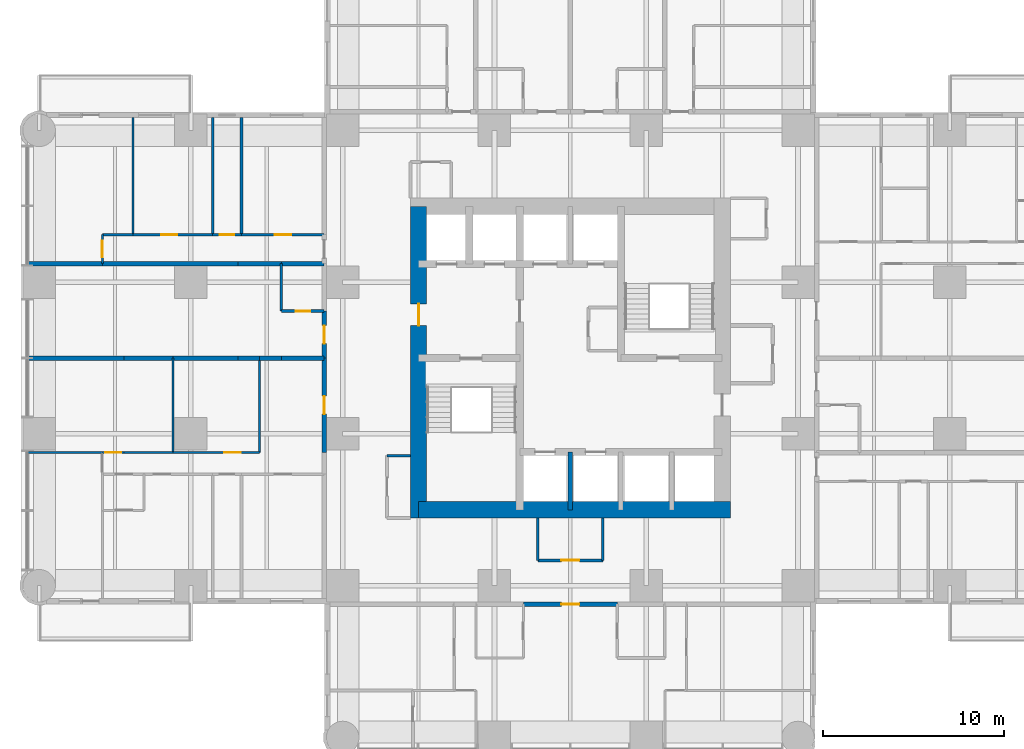
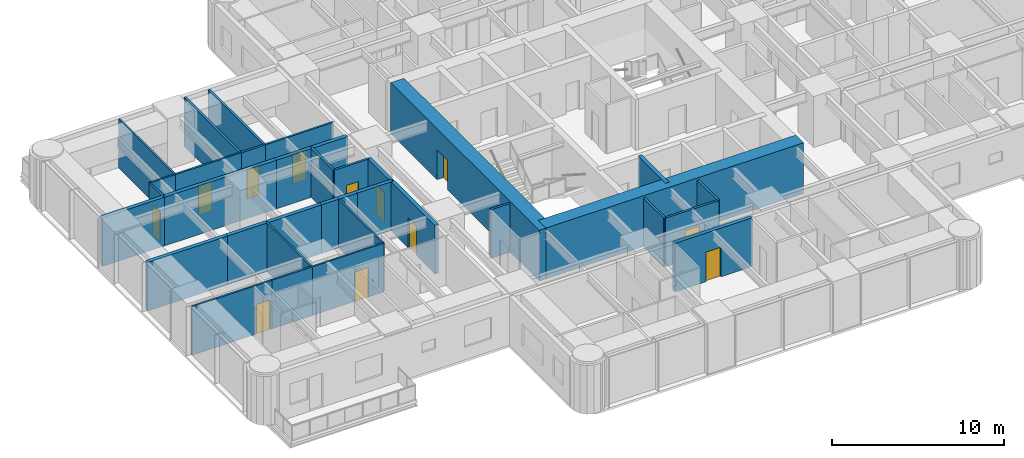
# One storey, part 7 of 14: 36 walls, 12 doors, 12 openings.
"""IFC4 building model written with IfcOpenShell, lengths in metres."""

from ifc_helpers import new_model, si_unit, direction, frame, frame_2d, origin, place, context, subcontext, project, spatial, rectangle, extrude, material, layer, layer_set, type_object, element, fill, save


model = new_model("IFC4")

# Units and contexts
model_context = context("Model", 3, precision=1e-05, world=origin(), true_north=direction((0.0, 1.0)))
body_context = subcontext(model_context, "Body", "Model", "MODEL_VIEW")
ifc_project = project(units=[si_unit("LENGTHUNIT", "METRE"), si_unit("AREAUNIT", "SQUARE_METRE"), si_unit("VOLUMEUNIT", "CUBIC_METRE"), si_unit("PLANEANGLEUNIT", "RADIAN"), si_unit("MASSUNIT", "GRAM", prefix="KILO")], contexts=[model_context])

# Site, building, storey
site_placement = place(None, origin())
site = spatial("IfcSite", under=ifc_project, at=site_placement, CompositionType="ELEMENT")
building_placement = place(site_placement, origin())
building = spatial("IfcBuilding", under=site, at=building_placement, Name="Torre Alcanfor", CompositionType="ELEMENT")
storey_placement = place(building_placement, frame((0.0, 0.0, 170.10009765625)))
storey = spatial("IfcBuildingStorey", under=building, at=storey_placement, Name="L44", CompositionType="ELEMENT", Elevation=170.10009765625)

# Wall, opening, door
ifc_material_1 = material(Name="Concrete block masonry, hollow blocks NMX-C-404 9 MPa", Category="masonry")
ifc_layer_1 = layer(ifc_material_1, 0.25)
ifc_layer_set_1 = layer_set([ifc_layer_1], Name="Apartment entrance wall 250 EI 60")
wall_type_1 = type_object("IfcWallType", Name="Apartment entrance wall 250 EI 60", PredefinedType="PARTITIONING", material=ifc_layer_set_1)
wall_1_placement = place(storey_placement, frame((32.0, 15.77490234375, 0.0), z_axis=(0.0, 0.0, 1.0), x_axis=(-1.0, 0.0, 0.0)))
wall_1 = element("IfcWall", 1, at=wall_1_placement, inside=storey, type_object=wall_type_1, Name="Partition L44-CORR / L44-SX-ZAG", PredefinedType="PARTITIONING", context=body_context, shape_type="SweptSolid", body=[
    extrude(rectangle(XDim=5.199951171875, YDim=0.25, at=frame_2d((2.60009765625, 0.0))), origin(), (0.0, 0.0, 1.0), 3.449951171875),
])
opening_1_placement = place(wall_1_placement, frame((2.10009765625, 0.0, 0.0)))
opening_1 = element("IfcOpeningElement", 2, at=opening_1_placement, cuts=wall_1, Name="Opening D-A1", PredefinedType="OPENING", context=body_context, shape_type="SweptSolid", body=[
    extrude(rectangle(XDim=1.0, YDim=2.10009765625, at=frame_2d((0.5, 1.050048828125))), frame((0.0, 0.135009765625, 0.0), z_axis=(0.0, -1.0, 0.0), x_axis=(1.0, 0.0, 0.0)), (0.0, 0.0, 1.0), 0.27001953125),
])
ifc_material_2 = material(Name="Galvanised steel sheet ASTM A653", Category="steel")
door_type_1 = type_object("IfcDoorType", Name="Apartment entrance door FD60 1000x2100", OperationType="SINGLE_SWING_LEFT", PredefinedType="DOOR", material=ifc_material_2)
door_1_placement = place(opening_1_placement, origin())
door_1 = element("IfcDoor", 3, at=door_1_placement, inside=storey, type_object=door_type_1, Name="Apartment entrance L44-SX", OperationType="SINGLE_SWING_LEFT", OverallHeight=2.10009765625, OverallWidth=1.0, PredefinedType="DOOR", context=body_context, shape_type="SweptSolid", body=[
    extrude(rectangle(XDim=1.0, YDim=2.10009765625, at=frame_2d((0.5, 1.050048828125))), frame((0.0, 0.02490234375, 0.0), z_axis=(0.0, -1.0, 0.0), x_axis=(1.0, 0.0, 0.0)), (0.0, 0.0, 1.0), 0.050048828125),
])
fill(opening_1, door_1)

wall_2_placement = place(storey_placement, frame((15.77490234375, 24.1708984375, 0.0), z_axis=(0.0, 0.0, 1.0), x_axis=(0.0, 1.0, 0.0)))
wall_2 = element("IfcWall", 4, at=wall_2_placement, inside=storey, type_object=wall_type_1, Name="Partition L44-CORR / L44-W1-ZAG", PredefinedType="PARTITIONING", context=body_context, shape_type="SweptSolid", body=[
    extrude(rectangle(XDim=5.22900390625, YDim=0.25, at=frame_2d((2.614501953125, 0.0))), origin(), (0.0, 0.0, 1.0), 3.449951171875),
])
opening_2_placement = place(wall_2_placement, frame((2.12890625, 0.0, 0.0)))
opening_2 = element("IfcOpeningElement", 5, at=opening_2_placement, cuts=wall_2, Name="Opening D-A1", PredefinedType="OPENING", context=body_context, shape_type="SweptSolid", body=[
    extrude(rectangle(XDim=1.0, YDim=2.10009765625, at=frame_2d((0.5, 1.050048828125))), frame((0.0, 0.135009765625, 0.0), z_axis=(0.0, -1.0, 0.0), x_axis=(1.0, 0.0, 0.0)), (0.0, 0.0, 1.0), 0.27001953125),
])
door_2_placement = place(opening_2_placement, origin())
door_2 = element("IfcDoor", 6, at=door_2_placement, inside=storey, type_object=door_type_1, Name="Apartment entrance L44-W1", OperationType="SINGLE_SWING_RIGHT", OverallHeight=2.10009765625, OverallWidth=1.0, PredefinedType="DOOR", context=body_context, shape_type="SweptSolid", body=[
    extrude(rectangle(XDim=1.0, YDim=2.10009765625, at=frame_2d((0.5, 1.050048828125))), frame((0.0, 0.02490234375, 0.0), z_axis=(0.0, -1.0, 0.0), x_axis=(1.0, 0.0, 0.0)), (0.0, 0.0, 1.0), 0.050048828125),
])
fill(opening_2, door_2)

wall_3_placement = place(storey_placement, frame((15.77490234375, 29.39990234375, 0.0), z_axis=(0.0, 0.0, 1.0), x_axis=(0.0, 1.0, 0.0)))
wall_3 = element("IfcWall", 7, at=wall_3_placement, inside=storey, type_object=wall_type_1, Name="Partition L44-CORR / L44-W2A-FOYER", PredefinedType="PARTITIONING", context=body_context, shape_type="SweptSolid", body=[
    extrude(rectangle(XDim=2.60009765625, YDim=0.25, at=frame_2d((1.300048828125, 0.0))), origin(), (0.0, 0.0, 1.0), 3.449951171875),
])
opening_3_placement = place(wall_3_placement, frame((0.800048828125, 0.0, 0.0)))
opening_3 = element("IfcOpeningElement", 8, at=opening_3_placement, cuts=wall_3, Name="Opening D-A1", PredefinedType="OPENING", context=body_context, shape_type="SweptSolid", body=[
    extrude(rectangle(XDim=1.0, YDim=2.10009765625, at=frame_2d((0.5, 1.050048828125))), frame((0.0, 0.135009765625, 0.0), z_axis=(0.0, -1.0, 0.0), x_axis=(1.0, 0.0, 0.0)), (0.0, 0.0, 1.0), 0.27001953125),
])
door_3_placement = place(opening_3_placement, origin())
door_3 = element("IfcDoor", 9, at=door_3_placement, inside=storey, type_object=door_type_1, Name="Apartment entrance L44-W2A", OperationType="SINGLE_SWING_LEFT", OverallHeight=2.10009765625, OverallWidth=1.0, PredefinedType="DOOR", context=body_context, shape_type="SweptSolid", body=[
    extrude(rectangle(XDim=1.0, YDim=2.10009765625, at=frame_2d((0.5, 1.050048828125))), frame((0.0, 0.02490234375, 0.0), z_axis=(0.0, -1.0, 0.0), x_axis=(1.0, 0.0, 0.0)), (0.0, 0.0, 1.0), 0.050048828125),
])
fill(opening_3, door_3)

# Walls
ifc_material_3 = material(Name="Gypsum board on steel studs", Category="steel")
ifc_layer_2 = layer(ifc_material_3, 0.1201171875)
ifc_layer_set_2 = layer_set([ifc_layer_2], Name="Apartment partition 120")
wall_type_2 = type_object("IfcWallType", Name="Apartment partition 120", PredefinedType="PARTITIONING", material=ifc_layer_set_2)
for number, where, z_axis, x_axis, name in (
    (10, (12.199951171875, 29.39990234375, 0.0), (0.0, 0.0, 1.0), (0.0, -1.0, 0.0), "Partition L44-W1-ZAG / L44-W1-FAMILY"),
    (11, (7.39990234375, 29.39990234375, 0.0), (0.0, 0.0, 1.0), (0.0, -1.0, 0.0), "Partition L44-W1-FAMILY / L44-W1-KITCHEN"),
):
    element("IfcWall", number, at=place(storey_placement, frame(where, z_axis=z_axis, x_axis=x_axis)), inside=storey, type_object=wall_type_2, Name=name, PredefinedType="PARTITIONING", context=body_context, shape_type="SweptSolid", body=[
        extrude(rectangle(XDim=5.22900390625, YDim=0.1201171875, at=frame_2d((2.614501953125, 0.0))), origin(), (0.0, 0.0, 1.0), 3.449951171875),
    ])

# Wall, opening, door
wall_4_placement = place(storey_placement, frame((7.39990234375, 24.1708984375, 0.0), z_axis=(0.0, 0.0, 1.0), x_axis=(1.0, 0.0, 0.0)))
wall_4 = element("IfcWall", 12, at=wall_4_placement, inside=storey, type_object=wall_type_2, Name="Partition L44-W1-FAMILY / L44-W1-HALL", PredefinedType="PARTITIONING", context=body_context, shape_type="SweptSolid", body=[
    extrude(rectangle(XDim=4.800048828125, YDim=0.1201171875, at=frame_2d((2.39990234375, 0.0))), origin(), (0.0, 0.0, 1.0), 3.449951171875),
])
opening_4_placement = place(wall_4_placement, frame((2.85009765625, 0.0, 0.0)))
opening_4 = element("IfcOpeningElement", 13, at=opening_4_placement, cuts=wall_4, Name="Opening D-R1", PredefinedType="OPENING", context=body_context, shape_type="SweptSolid", body=[
    extrude(rectangle(XDim=0.89990234375, YDim=2.10009765625, at=frame_2d((0.449951171875, 1.050048828125))), frame((0.0, 0.070068359375, 0.0), z_axis=(0.0, -1.0, 0.0), x_axis=(1.0, 0.0, 0.0)), (0.0, 0.0, 1.0), 0.14013671875),
])
ifc_material_4 = material(Name="Timber", Category="wood")
door_type_2 = type_object("IfcDoorType", Name="Internal door 900x2100", OperationType="SINGLE_SWING_LEFT", PredefinedType="DOOR", material=ifc_material_4)
door_4_placement = place(opening_4_placement, origin())
door_4 = element("IfcDoor", 14, at=door_4_placement, inside=storey, type_object=door_type_2, Name="Door L44-W1 family", OperationType="SINGLE_SWING_RIGHT", OverallHeight=2.10009765625, OverallWidth=0.89990234375, PredefinedType="DOOR", context=body_context, shape_type="SweptSolid", body=[
    extrude(rectangle(XDim=0.89990234375, YDim=2.10009765625, at=frame_2d((0.449951171875, 1.050048828125))), frame((0.0, 0.02490234375, 0.0), z_axis=(0.0, -1.0, 0.0), x_axis=(1.0, 0.0, 0.0)), (0.0, 0.0, 1.0), 0.050048828125),
])
fill(opening_4, door_4)

# Wall
wall_5_placement = place(storey_placement, frame((4.699951171875, 24.1708984375, 0.0), z_axis=(0.0, 0.0, 1.0), x_axis=(1.0, 0.0, 0.0)))
element("IfcWall", 15, at=wall_5_placement, inside=storey, type_object=wall_type_2, Name="Partition L44-W1-KITCHEN / L44-W1-HALL", PredefinedType="PARTITIONING", context=body_context, shape_type="SweptSolid", body=[
    extrude(rectangle(XDim=2.699951171875, YDim=0.1201171875, at=frame_2d((1.35009765625, 0.0))), origin(), (0.0, 0.0, 1.0), 3.449951171875),
])

# Wall, opening, door
wall_6_placement = place(storey_placement, frame((3.5, 24.1708984375, 0.0), z_axis=(0.0, 0.0, 1.0), x_axis=(1.0, 0.0, 0.0)))
wall_6 = element("IfcWall", 16, at=wall_6_placement, inside=storey, type_object=wall_type_2, Name="Partition L44-W1-LIVING / L44-W1-HALL", PredefinedType="PARTITIONING", context=body_context, shape_type="SweptSolid", body=[
    extrude(rectangle(XDim=1.199951171875, YDim=0.1201171875, at=frame_2d((0.60009765625, 0.0))), origin(), (0.0, 0.0, 1.0), 3.449951171875),
])
opening_5_placement = place(wall_6_placement, frame((0.14990234375, 0.0, 0.0)))
opening_5 = element("IfcOpeningElement", 17, at=opening_5_placement, cuts=wall_6, Name="Opening D-R1", PredefinedType="OPENING", context=body_context, shape_type="SweptSolid", body=[
    extrude(rectangle(XDim=0.89990234375, YDim=2.10009765625, at=frame_2d((0.449951171875, 1.050048828125))), frame((0.0, 0.070068359375, 0.0), z_axis=(0.0, -1.0, 0.0), x_axis=(1.0, 0.0, 0.0)), (0.0, 0.0, 1.0), 0.14013671875),
])
door_5_placement = place(opening_5_placement, origin())
door_5 = element("IfcDoor", 18, at=door_5_placement, inside=storey, type_object=door_type_2, Name="Door L44-W1 living", OperationType="SINGLE_SWING_RIGHT", OverallHeight=2.10009765625, OverallWidth=0.89990234375, PredefinedType="DOOR", context=body_context, shape_type="SweptSolid", body=[
    extrude(rectangle(XDim=0.89990234375, YDim=2.10009765625, at=frame_2d((0.449951171875, 1.050048828125))), frame((0.0, 0.02490234375, 0.0), z_axis=(0.0, -1.0, 0.0), x_axis=(1.0, 0.0, 0.0)), (0.0, 0.0, 1.0), 0.050048828125),
])
fill(opening_5, door_5)

# Wall
wall_7_placement = place(storey_placement, frame((-0.64990234375, 24.1708984375, 0.0), z_axis=(0.0, 0.0, 1.0), x_axis=(1.0, 0.0, 0.0)))
element("IfcWall", 19, at=wall_7_placement, inside=storey, type_object=wall_type_2, Name="Partition L44-W1-LIVING / L44-W1-WGARD", PredefinedType="PARTITIONING", context=body_context, shape_type="SweptSolid", body=[
    extrude(rectangle(XDim=4.14990234375, YDim=0.1201171875, at=frame_2d((2.074951171875, 0.0))), origin(), (0.0, 0.0, 1.0), 3.449951171875),
])

# Wall, opening, door
wall_8_placement = place(storey_placement, frame((11.199951171875, 36.22900390625, 0.0), z_axis=(0.0, 0.0, 1.0), x_axis=(1.0, 0.0, 0.0)))
wall_8 = element("IfcWall", 20, at=wall_8_placement, inside=storey, type_object=wall_type_2, Name="Partition L44-W2B-HALL / L44-W2B-MASTER", PredefinedType="PARTITIONING", context=body_context, shape_type="SweptSolid", body=[
    extrude(rectangle(XDim=4.574951171875, YDim=0.1201171875, at=frame_2d((2.28759765625, 0.0))), origin(), (0.0, 0.0, 1.0), 3.449951171875),
])
opening_6_placement = place(wall_8_placement, frame((1.85009765625, 0.0, 0.0)))
opening_6 = element("IfcOpeningElement", 21, at=opening_6_placement, cuts=wall_8, Name="Opening D-R1", PredefinedType="OPENING", context=body_context, shape_type="SweptSolid", body=[
    extrude(rectangle(XDim=0.89990234375, YDim=2.10009765625, at=frame_2d((0.449951171875, 1.050048828125))), frame((0.0, 0.070068359375, 0.0), z_axis=(0.0, -1.0, 0.0), x_axis=(1.0, 0.0, 0.0)), (0.0, 0.0, 1.0), 0.14013671875),
])
door_6_placement = place(opening_6_placement, origin())
door_6 = element("IfcDoor", 22, at=door_6_placement, inside=storey, type_object=door_type_2, Name="Door L44-W2B master", OperationType="SINGLE_SWING_RIGHT", OverallHeight=2.10009765625, OverallWidth=0.89990234375, PredefinedType="DOOR", context=body_context, shape_type="SweptSolid", body=[
    extrude(rectangle(XDim=0.89990234375, YDim=2.10009765625, at=frame_2d((0.449951171875, 1.050048828125))), frame((0.0, 0.02490234375, 0.0), z_axis=(0.0, -1.0, 0.0), x_axis=(1.0, 0.0, 0.0)), (0.0, 0.0, 1.0), 0.050048828125),
])
fill(opening_6, door_6)

wall_9_placement = place(storey_placement, frame((5.199951171875, 36.22900390625, 0.0), z_axis=(0.0, 0.0, 1.0), x_axis=(1.0, 0.0, 0.0)))
wall_9 = element("IfcWall", 23, at=wall_9_placement, inside=storey, type_object=wall_type_2, Name="Partition L44-W2B-HALL / L44-W2B-STUDY", PredefinedType="PARTITIONING", context=body_context, shape_type="SweptSolid", body=[
    extrude(rectangle(XDim=4.400146484375, YDim=0.1201171875, at=frame_2d((2.2001953125, 0.0))), origin(), (0.0, 0.0, 1.0), 3.449951171875),
])
opening_7_placement = place(wall_9_placement, frame((1.550048828125, 0.0, 0.0)))
opening_7 = element("IfcOpeningElement", 24, at=opening_7_placement, cuts=wall_9, Name="Opening D-R1", PredefinedType="OPENING", context=body_context, shape_type="SweptSolid", body=[
    extrude(rectangle(XDim=0.89990234375, YDim=2.10009765625, at=frame_2d((0.449951171875, 1.050048828125))), frame((0.0, 0.070068359375, 0.0), z_axis=(0.0, -1.0, 0.0), x_axis=(1.0, 0.0, 0.0)), (0.0, 0.0, 1.0), 0.14013671875),
])
door_7_placement = place(opening_7_placement, origin())
door_7 = element("IfcDoor", 25, at=door_7_placement, inside=storey, type_object=door_type_2, Name="Door L44-W2B study", OperationType="SINGLE_SWING_LEFT", OverallHeight=2.10009765625, OverallWidth=0.89990234375, PredefinedType="DOOR", context=body_context, shape_type="SweptSolid", body=[
    extrude(rectangle(XDim=0.89990234375, YDim=2.10009765625, at=frame_2d((0.449951171875, 1.050048828125))), frame((0.0, 0.02490234375, 0.0), z_axis=(0.0, -1.0, 0.0), x_axis=(1.0, 0.0, 0.0)), (0.0, 0.0, 1.0), 0.050048828125),
])
fill(opening_7, door_7)

# Wall
wall_10_placement = place(storey_placement, frame((3.5, 36.22900390625, 0.0), z_axis=(0.0, 0.0, 1.0), x_axis=(1.0, 0.0, 0.0)))
element("IfcWall", 26, at=wall_10_placement, inside=storey, type_object=wall_type_2, Name="Partition L44-W2B-HALL / L44-W2B-KITCHEN", PredefinedType="PARTITIONING", context=body_context, shape_type="SweptSolid", body=[
    extrude(rectangle(XDim=1.699951171875, YDim=0.1201171875, at=frame_2d((0.85009765625, 0.0))), origin(), (0.0, 0.0, 1.0), 3.449951171875),
])

# Wall, opening, door
wall_11_placement = place(storey_placement, frame((3.5, 34.62890625, 0.0), z_axis=(0.0, 0.0, 1.0), x_axis=(0.0, 1.0, 0.0)))
wall_11 = element("IfcWall", 27, at=wall_11_placement, inside=storey, type_object=wall_type_2, Name="Partition L44-W2B-HALL / L44-W2B-LIVING", PredefinedType="PARTITIONING", context=body_context, shape_type="SweptSolid", body=[
    extrude(rectangle(XDim=1.60009765625, YDim=0.1201171875, at=frame_2d((0.800048828125, 0.0))), origin(), (0.0, 0.0, 1.0), 3.449951171875),
])
opening_8_placement = place(wall_11_placement, frame((0.35009765625, 0.0, 0.0)))
opening_8 = element("IfcOpeningElement", 28, at=opening_8_placement, cuts=wall_11, Name="Opening D-R1", PredefinedType="OPENING", context=body_context, shape_type="SweptSolid", body=[
    extrude(rectangle(XDim=0.89990234375, YDim=2.10009765625, at=frame_2d((0.449951171875, 1.050048828125))), frame((0.0, 0.070068359375, 0.0), z_axis=(0.0, -1.0, 0.0), x_axis=(1.0, 0.0, 0.0)), (0.0, 0.0, 1.0), 0.14013671875),
])
door_8_placement = place(opening_8_placement, origin())
door_8 = element("IfcDoor", 29, at=door_8_placement, inside=storey, type_object=door_type_2, Name="Door L44-W2B living", OperationType="SINGLE_SWING_LEFT", OverallHeight=2.10009765625, OverallWidth=0.89990234375, PredefinedType="DOOR", context=body_context, shape_type="SweptSolid", body=[
    extrude(rectangle(XDim=0.89990234375, YDim=2.10009765625, at=frame_2d((0.449951171875, 1.050048828125))), frame((0.0, 0.02490234375, 0.0), z_axis=(0.0, -1.0, 0.0), x_axis=(1.0, 0.0, 0.0)), (0.0, 0.0, 1.0), 0.050048828125),
])
fill(opening_8, door_8)

# Walls
wall_12_placement = place(storey_placement, frame((5.199951171875, 36.22900390625, 0.0), z_axis=(0.0, 0.0, 1.0), x_axis=(0.0, 1.0, 0.0)))
element("IfcWall", 30, at=wall_12_placement, inside=storey, type_object=wall_type_2, Name="Partition L44-W2B-STUDY / L44-W2B-KITCHEN", PredefinedType="PARTITIONING", context=body_context, shape_type="SweptSolid", body=[
    extrude(rectangle(XDim=6.470947265625, YDim=0.1201171875, at=frame_2d((3.2353515625, 0.0))), origin(), (0.0, 0.0, 1.0), 3.449951171875),
])
ifc_material_5 = material(Name="Concrete f'c 70 MPa", Category="concrete")
ifc_layer_3 = layer(ifc_material_5, 0.25)
ifc_layer_set_3 = layer_set([ifc_layer_3], Name="Core shaft wall 250 f'c70")
wall_type_3 = type_object("IfcWallType", Name="Core shaft wall 250 f'c70", PredefinedType="SHEAR", material=ifc_layer_set_3)
wall_13_placement = place(storey_placement, frame((29.39990234375, 21.0, 0.0), z_axis=(0.0, 0.0, 1.0), x_axis=(0.0, 1.0, 0.0)))
element("IfcWall", 31, at=wall_13_placement, inside=storey, type_object=wall_type_3, Name="Core wall X294S L44", PredefinedType="SHEAR", context=body_context, shape_type="SweptSolid", body=[
    extrude(rectangle(XDim=3.199951171875, YDim=0.25, at=frame_2d((1.60009765625, 0.0))), origin(), (0.0, 0.0, 1.0), 3.599853515625),
])
ifc_material_6 = material(Name="Concrete f'c 70 MPa", Category="concrete")
ifc_layer_4 = layer(ifc_material_6, 0.89990234375)
ifc_layer_set_4 = layer_set([ifc_layer_4], Name="Core wall 900 f'c70")
wall_type_4 = type_object("IfcWallType", Name="Core wall 900 f'c70", PredefinedType="SHEAR", material=ifc_layer_set_4)
wall_14_placement = place(storey_placement, frame((21.0, 21.0, 0.0), z_axis=(0.0, 0.0, 1.0), x_axis=(1.0, 0.0, 0.0)))
element("IfcWall", 32, at=wall_14_placement, inside=storey, type_object=wall_type_4, Name="Core wall OUT-S L44", PredefinedType="SHEAR", context=body_context, shape_type="SweptSolid", body=[
    extrude(rectangle(XDim=17.25, YDim=0.89990234375, at=frame_2d((8.625, 0.0))), origin(), (0.0, 0.0, 1.0), 3.599853515625),
])

# Wall, opening, door
wall_15_placement = place(storey_placement, frame((21.0, 37.800048828125, 0.0), z_axis=(0.0, 0.0, 1.0), x_axis=(0.0, -1.0, 0.0)))
wall_15 = element("IfcWall", 33, at=wall_15_placement, inside=storey, type_object=wall_type_4, Name="Core wall OUT-W L44", PredefinedType="SHEAR", context=body_context, shape_type="SweptSolid", body=[
    extrude(rectangle(XDim=17.25, YDim=0.89990234375, at=frame_2d((8.625, 0.0))), origin(), (0.0, 0.0, 1.0), 3.599853515625),
])
opening_9_placement = place(wall_15_placement, frame((5.39990234375, 0.0, 0.0)))
opening_9 = element("IfcOpeningElement", 34, at=opening_9_placement, cuts=wall_15, Name="Opening D-L1", PredefinedType="OPENING", context=body_context, shape_type="SweptSolid", body=[
    extrude(rectangle(XDim=1.199951171875, YDim=2.10009765625, at=frame_2d((0.60009765625, 1.050048828125))), frame((0.0, 0.4599609375, 0.0), z_axis=(0.0, -1.0, 0.0), x_axis=(1.0, 0.0, 0.0)), (0.0, 0.0, 1.0), 0.919921875),
])
ifc_material_7 = material(Name="Galvanised steel sheet ASTM A653", Category="steel")
door_type_3 = type_object("IfcDoorType", Name="Lobby door FD120 1200x2100", OperationType="SINGLE_SWING_LEFT", PredefinedType="DOOR", material=ifc_material_7)
door_9_placement = place(opening_9_placement, origin())
door_9 = element("IfcDoor", 35, at=door_9_placement, inside=storey, type_object=door_type_3, Name="Firefighting lobby door L44", OperationType="SINGLE_SWING_LEFT", OverallHeight=2.10009765625, OverallWidth=1.199951171875, PredefinedType="DOOR", context=body_context, shape_type="SweptSolid", body=[
    extrude(rectangle(XDim=1.199951171875, YDim=2.10009765625, at=frame_2d((0.60009765625, 1.050048828125))), frame((0.0, 0.02490234375, 0.0), z_axis=(0.0, -1.0, 0.0), x_axis=(1.0, 0.0, 0.0)), (0.0, 0.0, 1.0), 0.050048828125),
])
fill(opening_9, door_9)

# Walls
ifc_material_8 = material(Name="Concrete block masonry, hollow blocks NMX-C-404 9 MPa", Category="masonry")
ifc_layer_5 = layer(ifc_material_8, 0.25)
ifc_layer_set_5 = layer_set([ifc_layer_5], Name="Party wall 250 EI 60")
wall_type_5 = type_object("IfcWallType", Name="Party wall 250 EI 60", PredefinedType="PARTITIONING", material=ifc_layer_set_5)
wall_16_placement = place(storey_placement, frame((15.77490234375, 29.39990234375, 0.0), z_axis=(0.0, 0.0, 1.0), x_axis=(-1.0, 0.0, 0.0)))
element("IfcWall", 36, at=wall_16_placement, inside=storey, type_object=wall_type_5, Name="Partition L44-W1-ZAG / L44-W2A-FOYER", PredefinedType="PARTITIONING", context=body_context, shape_type="SweptSolid", body=[
    extrude(rectangle(XDim=2.375, YDim=0.25, at=frame_2d((1.1875, 0.0))), origin(), (0.0, 0.0, 1.0), 3.449951171875),
])
for number, where, z_axis, x_axis, name in (
    (37, (13.39990234375, 29.39990234375, 0.0), (0.0, 0.0, 1.0), (-1.0, 0.0, 0.0), "Partition L44-W1-ZAG / L44-W2A-KITCHEN"),
    (38, (12.199951171875, 29.39990234375, 0.0), (0.0, 0.0, 1.0), (-1.0, 0.0, 0.0), "Partition L44-W1-FAMILY / L44-W2A-KITCHEN"),
):
    element("IfcWall", number, at=place(storey_placement, frame(where, z_axis=z_axis, x_axis=x_axis)), inside=storey, type_object=wall_type_5, Name=name, PredefinedType="PARTITIONING", context=body_context, shape_type="SweptSolid", body=[
        extrude(rectangle(XDim=1.199951171875, YDim=0.25, at=frame_2d((0.60009765625, 0.0))), origin(), (0.0, 0.0, 1.0), 3.449951171875),
    ])
wall_17_placement = place(storey_placement, frame((11.0, 29.39990234375, 0.0), z_axis=(0.0, 0.0, 1.0), x_axis=(-1.0, 0.0, 0.0)))
element("IfcWall", 39, at=wall_17_placement, inside=storey, type_object=wall_type_5, Name="Partition L44-W1-FAMILY / L44-W2A-STUDIO", PredefinedType="PARTITIONING", context=body_context, shape_type="SweptSolid", body=[
    extrude(rectangle(XDim=3.60009765625, YDim=0.25, at=frame_2d((1.800048828125, 0.0))), origin(), (0.0, 0.0, 1.0), 3.449951171875),
])
wall_18_placement = place(storey_placement, frame((7.39990234375, 29.39990234375, 0.0), z_axis=(0.0, 0.0, 1.0), x_axis=(-1.0, 0.0, 0.0)))
element("IfcWall", 40, at=wall_18_placement, inside=storey, type_object=wall_type_5, Name="Partition L44-W1-KITCHEN / L44-W2A-STUDIO", PredefinedType="PARTITIONING", context=body_context, shape_type="SweptSolid", body=[
    extrude(rectangle(XDim=2.699951171875, YDim=0.25, at=frame_2d((1.35009765625, 0.0))), origin(), (0.0, 0.0, 1.0), 3.449951171875),
])
wall_19_placement = place(storey_placement, frame((4.699951171875, 29.39990234375, 0.0), z_axis=(0.0, 0.0, 1.0), x_axis=(-1.0, 0.0, 0.0)))
element("IfcWall", 41, at=wall_19_placement, inside=storey, type_object=wall_type_5, Name="Partition L44-W1-LIVING / L44-W2A-STUDIO", PredefinedType="PARTITIONING", context=body_context, shape_type="SweptSolid", body=[
    extrude(rectangle(XDim=5.349853515625, YDim=0.25, at=frame_2d((2.6748046875, 0.0))), origin(), (0.0, 0.0, 1.0), 3.449951171875),
])
wall_20_placement = place(storey_placement, frame((13.39990234375, 34.62890625, 0.0), z_axis=(0.0, 0.0, 1.0), x_axis=(1.0, 0.0, 0.0)))
element("IfcWall", 42, at=wall_20_placement, inside=storey, type_object=wall_type_5, Name="Partition L44-W2A-BATH / L44-W2B-HALL", PredefinedType="PARTITIONING", context=body_context, shape_type="SweptSolid", body=[
    extrude(rectangle(XDim=2.375, YDim=0.25, at=frame_2d((1.1875, 0.0))), origin(), (0.0, 0.0, 1.0), 3.449951171875),
])
wall_21_placement = place(storey_placement, frame((11.0, 34.62890625, 0.0), z_axis=(0.0, 0.0, 1.0), x_axis=(1.0, 0.0, 0.0)))
element("IfcWall", 43, at=wall_21_placement, inside=storey, type_object=wall_type_5, Name="Partition L44-W2A-KITCHEN / L44-W2B-HALL", PredefinedType="PARTITIONING", context=body_context, shape_type="SweptSolid", body=[
    extrude(rectangle(XDim=2.39990234375, YDim=0.25, at=frame_2d((1.199951171875, 0.0))), origin(), (0.0, 0.0, 1.0), 3.449951171875),
])
wall_22_placement = place(storey_placement, frame((3.5, 34.62890625, 0.0), z_axis=(0.0, 0.0, 1.0), x_axis=(1.0, 0.0, 0.0)))
element("IfcWall", 44, at=wall_22_placement, inside=storey, type_object=wall_type_5, Name="Partition L44-W2A-STUDIO / L44-W2B-HALL", PredefinedType="PARTITIONING", context=body_context, shape_type="SweptSolid", body=[
    extrude(rectangle(XDim=7.5, YDim=0.25, at=frame_2d((3.75, 0.0))), origin(), (0.0, 0.0, 1.0), 3.449951171875),
])
wall_23_placement = place(storey_placement, frame((-0.64990234375, 34.62890625, 0.0), z_axis=(0.0, 0.0, 1.0), x_axis=(1.0, 0.0, 0.0)))
element("IfcWall", 45, at=wall_23_placement, inside=storey, type_object=wall_type_5, Name="Partition L44-W2A-STUDIO / L44-W2B-LIVING", PredefinedType="PARTITIONING", context=body_context, shape_type="SweptSolid", body=[
    extrude(rectangle(XDim=4.14990234375, YDim=0.25, at=frame_2d((2.074951171875, 0.0))), origin(), (0.0, 0.0, 1.0), 3.449951171875),
])
ifc_material_9 = material(Name="Concrete block masonry, hollow blocks NMX-C-404 9 MPa", Category="masonry")
ifc_layer_6 = layer(ifc_material_9, 0.14990234375)
ifc_layer_set_6 = layer_set([ifc_layer_6], Name="Residents' room partition 150")
wall_type_6 = type_object("IfcWallType", Name="Residents' room partition 150", PredefinedType="PARTITIONING", material=ifc_layer_set_6)
wall_24_placement = place(storey_placement, frame((27.60009765625, 20.550048828125, 0.0), z_axis=(0.0, 0.0, 1.0), x_axis=(0.0, -1.0, 0.0)))
element("IfcWall", 46, at=wall_24_placement, inside=storey, type_object=wall_type_6, Name="Partition L44-CORR / L44-G04", PredefinedType="PARTITIONING", context=body_context, shape_type="SweptSolid", body=[
    extrude(rectangle(XDim=2.35009765625, YDim=0.14990234375, at=frame_2d((1.175048828125, 0.0))), origin(), (0.0, 0.0, 1.0), 3.449951171875),
])

# Wall, opening, door
wall_25_placement = place(storey_placement, frame((27.60009765625, 18.199951171875, 0.0), z_axis=(0.0, 0.0, 1.0), x_axis=(1.0, 0.0, 0.0)))
wall_25 = element("IfcWall", 47, at=wall_25_placement, inside=storey, type_object=wall_type_6, Name="Partition L44-CORR / L44-G04", PredefinedType="PARTITIONING", context=body_context, shape_type="SweptSolid", body=[
    extrude(rectangle(XDim=3.599853515625, YDim=0.14990234375, at=frame_2d((1.7998046875, 0.0))), origin(), (0.0, 0.0, 1.0), 3.449951171875),
])
opening_10_placement = place(wall_25_placement, frame((1.300048828125, 0.0, 0.0)))
opening_10 = element("IfcOpeningElement", 48, at=opening_10_placement, cuts=wall_25, Name="Opening D-M1", PredefinedType="OPENING", context=body_context, shape_type="SweptSolid", body=[
    extrude(rectangle(XDim=1.0, YDim=2.10009765625, at=frame_2d((0.5, 1.050048828125))), frame((0.0, 0.0849609375, 0.0), z_axis=(0.0, -1.0, 0.0), x_axis=(1.0, 0.0, 0.0)), (0.0, 0.0, 1.0), 0.169921875),
])
ifc_material_10 = material(Name="Timber", Category="wood")
door_type_4 = type_object("IfcDoorType", Name="Residents' room door 1000x2100", OperationType="SINGLE_SWING_LEFT", PredefinedType="DOOR", material=ifc_material_10)
door_10_placement = place(opening_10_placement, origin())
door_10 = element("IfcDoor", 49, at=door_10_placement, inside=storey, type_object=door_type_4, Name="Door L44-G04 pram and buggy store", OperationType="SINGLE_SWING_LEFT", OverallHeight=2.10009765625, OverallWidth=1.0, PredefinedType="DOOR", context=body_context, shape_type="SweptSolid", body=[
    extrude(rectangle(XDim=1.0, YDim=2.10009765625, at=frame_2d((0.5, 1.050048828125))), frame((0.0, 0.02490234375, 0.0), z_axis=(0.0, -1.0, 0.0), x_axis=(1.0, 0.0, 0.0)), (0.0, 0.0, 1.0), 0.050048828125),
])
fill(opening_10, door_10)

# Walls
wall_26_placement = place(storey_placement, frame((31.199951171875, 18.199951171875, 0.0), z_axis=(0.0, 0.0, 1.0), x_axis=(0.0, 1.0, 0.0)))
element("IfcWall", 50, at=wall_26_placement, inside=storey, type_object=wall_type_6, Name="Partition L44-CORR / L44-G04", PredefinedType="PARTITIONING", context=body_context, shape_type="SweptSolid", body=[
    extrude(rectangle(XDim=2.35009765625, YDim=0.14990234375, at=frame_2d((1.175048828125, 0.0))), origin(), (0.0, 0.0, 1.0), 3.449951171875),
])
wall_27_placement = place(storey_placement, frame((20.550048828125, 24.0, 0.0), z_axis=(0.0, 0.0, 1.0), x_axis=(-1.0, 0.0, 0.0)))
element("IfcWall", 51, at=wall_27_placement, inside=storey, type_object=wall_type_6, Name="Partition L44-CORR / L44-G05", PredefinedType="PARTITIONING", context=body_context, shape_type="SweptSolid", body=[
    extrude(rectangle(XDim=1.300048828125, YDim=0.14990234375, at=frame_2d((0.64990234375, 0.0))), origin(), (0.0, 0.0, 1.0), 3.449951171875),
])

# Wall, opening, door
ifc_material_11 = material(Name="Cement board on steel studs", Category="steel")
ifc_layer_7 = layer(ifc_material_11, 0.14990234375)
ifc_layer_set_7 = layer_set([ifc_layer_7], Name="Wet area partition 150")
wall_type_7 = type_object("IfcWallType", Name="Wet area partition 150", PredefinedType="PARTITIONING", material=ifc_layer_set_7)
wall_28_placement = place(storey_placement, frame((13.39990234375, 32.0, 0.0), z_axis=(0.0, 0.0, 1.0), x_axis=(1.0, 0.0, 0.0)))
wall_28 = element("IfcWall", 52, at=wall_28_placement, inside=storey, type_object=wall_type_7, Name="Partition L44-W2A-FOYER / L44-W2A-BATH", PredefinedType="PARTITIONING", context=body_context, shape_type="SweptSolid", body=[
    extrude(rectangle(XDim=2.375, YDim=0.14990234375, at=frame_2d((1.1875, 0.0))), origin(), (0.0, 0.0, 1.0), 3.449951171875),
])
opening_11_placement = place(wall_28_placement, frame((0.800048828125, 0.0, 0.0)))
opening_11 = element("IfcOpeningElement", 53, at=opening_11_placement, cuts=wall_28, Name="Opening D-R2", PredefinedType="OPENING", context=body_context, shape_type="SweptSolid", body=[
    extrude(rectangle(XDim=0.800048828125, YDim=2.10009765625, at=frame_2d((0.39990234375, 1.050048828125))), frame((0.0, 0.0849609375, 0.0), z_axis=(0.0, -1.0, 0.0), x_axis=(1.0, 0.0, 0.0)), (0.0, 0.0, 1.0), 0.169921875),
])
ifc_material_12 = material(Name="Timber", Category="wood")
door_type_5 = type_object("IfcDoorType", Name="Bathroom door 800x2100", OperationType="SINGLE_SWING_LEFT", PredefinedType="DOOR", material=ifc_material_12)
door_11_placement = place(opening_11_placement, origin())
door_11 = element("IfcDoor", 54, at=door_11_placement, inside=storey, type_object=door_type_5, Name="Door L44-W2A bath", OperationType="SINGLE_SWING_RIGHT", OverallHeight=2.10009765625, OverallWidth=0.800048828125, PredefinedType="DOOR", context=body_context, shape_type="SweptSolid", body=[
    extrude(rectangle(XDim=0.800048828125, YDim=2.10009765625, at=frame_2d((0.39990234375, 1.050048828125))), frame((0.0, 0.02490234375, 0.0), z_axis=(0.0, -1.0, 0.0), x_axis=(1.0, 0.0, 0.0)), (0.0, 0.0, 1.0), 0.050048828125),
])
fill(opening_11, door_11)

# Wall
wall_29_placement = place(storey_placement, frame((13.39990234375, 32.0, 0.0), z_axis=(0.0, 0.0, 1.0), x_axis=(0.0, 1.0, 0.0)))
element("IfcWall", 55, at=wall_29_placement, inside=storey, type_object=wall_type_7, Name="Partition L44-W2A-BATH / L44-W2A-KITCHEN", PredefinedType="PARTITIONING", context=body_context, shape_type="SweptSolid", body=[
    extrude(rectangle(XDim=2.62890625, YDim=0.14990234375, at=frame_2d((1.314453125, 0.0))), origin(), (0.0, 0.0, 1.0), 3.449951171875),
])

# Wall, opening, door
wall_30_placement = place(storey_placement, frame((9.60009765625, 36.22900390625, 0.0), z_axis=(0.0, 0.0, 1.0), x_axis=(1.0, 0.0, 0.0)))
wall_30 = element("IfcWall", 56, at=wall_30_placement, inside=storey, type_object=wall_type_7, Name="Partition L44-W2B-HALL / L44-W2B-BATH", PredefinedType="PARTITIONING", context=body_context, shape_type="SweptSolid", body=[
    extrude(rectangle(XDim=1.599853515625, YDim=0.14990234375, at=frame_2d((0.7998046875, 0.0))), origin(), (0.0, 0.0, 1.0), 3.449951171875),
])
opening_12_placement = place(wall_30_placement, frame((0.39990234375, 0.0, 0.0)))
opening_12 = element("IfcOpeningElement", 57, at=opening_12_placement, cuts=wall_30, Name="Opening D-R2", PredefinedType="OPENING", context=body_context, shape_type="SweptSolid", body=[
    extrude(rectangle(XDim=0.800048828125, YDim=2.10009765625, at=frame_2d((0.39990234375, 1.050048828125))), frame((0.0, 0.0849609375, 0.0), z_axis=(0.0, -1.0, 0.0), x_axis=(1.0, 0.0, 0.0)), (0.0, 0.0, 1.0), 0.169921875),
])
door_12_placement = place(opening_12_placement, origin())
door_12 = element("IfcDoor", 58, at=door_12_placement, inside=storey, type_object=door_type_5, Name="Door L44-W2B bath", OperationType="SINGLE_SWING_LEFT", OverallHeight=2.10009765625, OverallWidth=0.800048828125, PredefinedType="DOOR", context=body_context, shape_type="SweptSolid", body=[
    extrude(rectangle(XDim=0.800048828125, YDim=2.10009765625, at=frame_2d((0.39990234375, 1.050048828125))), frame((0.0, 0.02490234375, 0.0), z_axis=(0.0, -1.0, 0.0), x_axis=(1.0, 0.0, 0.0)), (0.0, 0.0, 1.0), 0.050048828125),
])
fill(opening_12, door_12)

# Walls
for number, where, z_axis, x_axis, name in (
    (59, (11.199951171875, 36.22900390625, 0.0), (0.0, 0.0, 1.0), (0.0, 1.0, 0.0), "Partition L44-W2B-MASTER / L44-W2B-BATH"),
    (60, (9.60009765625, 36.22900390625, 0.0), (0.0, 0.0, 1.0), (0.0, 1.0, 0.0), "Partition L44-W2B-BATH / L44-W2B-STUDY"),
):
    element("IfcWall", number, at=place(storey_placement, frame(where, z_axis=z_axis, x_axis=x_axis)), inside=storey, type_object=wall_type_7, Name=name, PredefinedType="PARTITIONING", context=body_context, shape_type="SweptSolid", body=[
        extrude(rectangle(XDim=6.470947265625, YDim=0.14990234375, at=frame_2d((3.2353515625, 0.0))), origin(), (0.0, 0.0, 1.0), 3.449951171875),
    ])

save(model, "model.ifc")
